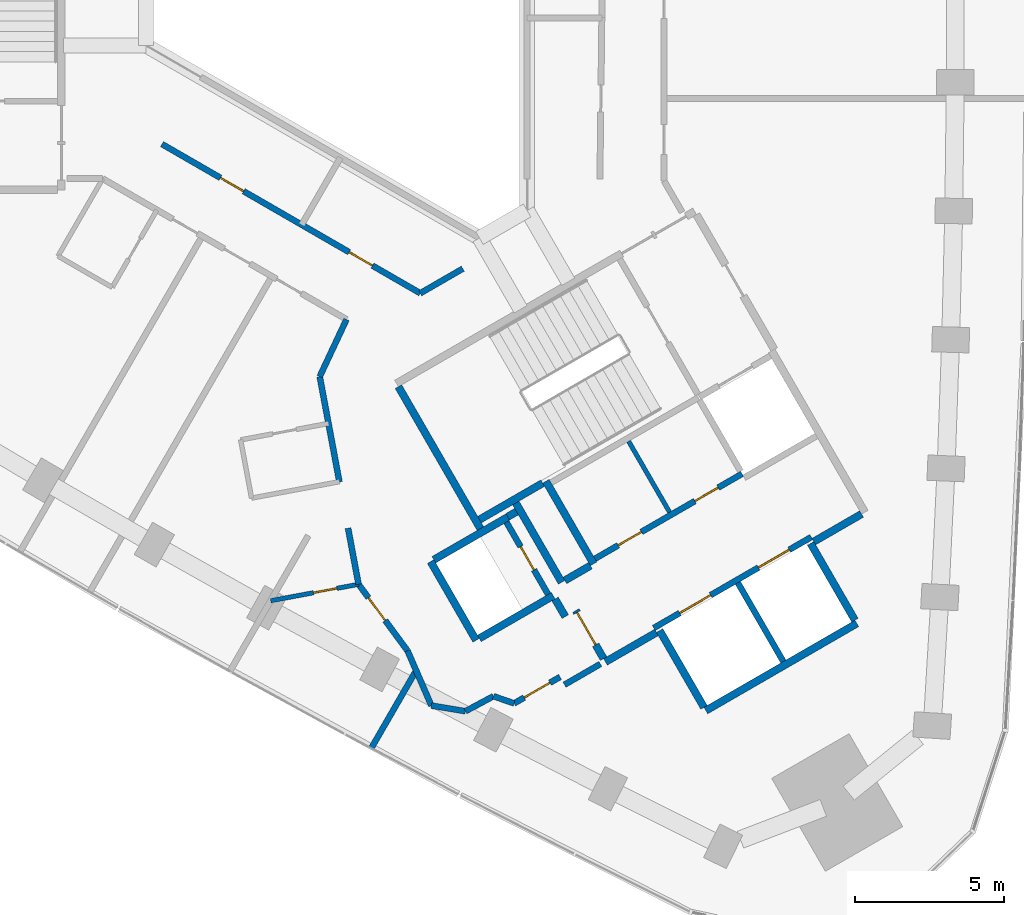
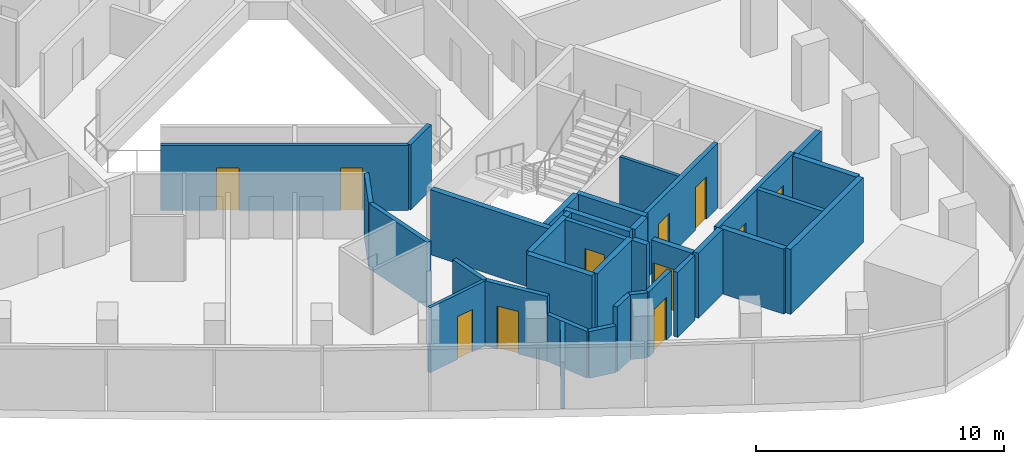
# One storey, part 8 of 12: 35 walls, 11 doors, 11 openings.
"""IFC4 building model written with IfcOpenShell, lengths in metres."""

from ifc_helpers import new_model, si_unit, direction, frame, frame_2d, origin, place, context, subcontext, project, spatial, rectangle, extrude, material, layer, layer_set, type_object, element, fill, save


model = new_model("IFC4")

# Units and contexts
model_context = context("Model", 3, precision=1e-05, world=origin(), true_north=direction((0.0, 1.0)))
body_context = subcontext(model_context, "Body", "Model", "MODEL_VIEW")
ifc_project = project(units=[si_unit("LENGTHUNIT", "METRE"), si_unit("AREAUNIT", "SQUARE_METRE"), si_unit("VOLUMEUNIT", "CUBIC_METRE"), si_unit("PLANEANGLEUNIT", "RADIAN"), si_unit("MASSUNIT", "GRAM", prefix="KILO")], contexts=[model_context])

# Site, building, storey
site_placement = place(None, origin())
site = spatial("IfcSite", under=ifc_project, at=site_placement, CompositionType="ELEMENT")
building_placement = place(site_placement, origin())
building = spatial("IfcBuilding", under=site, at=building_placement, Name="Tamra Quay Hotel Tower", CompositionType="ELEMENT")
storey_placement = place(building_placement, frame((0.0, 0.0, 143.199951171875)))
storey = spatial("IfcBuildingStorey", under=building, at=storey_placement, Name="L35", CompositionType="ELEMENT", Elevation=143.199951171875)

# Wall, openings, doors
ifc_material_1 = material(Name="Concrete M70", Category="concrete")
ifc_layer_1 = layer(ifc_material_1, 0.199951171875)
ifc_layer_set_1 = layer_set([ifc_layer_1], Name="Concrete M70 core wall 200")
wall_type_1 = type_object("IfcWallType", Name="Concrete M70 core wall 200", PredefinedType="SHEAR", material=ifc_layer_set_1)
wall_1_placement = place(storey_placement, frame((9.052490234375, -20.479736328125, 0.0), z_axis=(0.0, 0.0, 1.0), x_axis=(0.866030299012, 0.499991521122, 0.0)))
wall_1 = element("IfcWall", 1, at=wall_1_placement, inside=storey, type_object=wall_type_1, Name="CW2", PredefinedType="SHEAR", context=body_context, shape_type="SweptSolid", body=[
    extrude(rectangle(XDim=6.10009765625, YDim=0.199951171875, at=frame_2d((3.050048828125, 0.0))), origin(), (0.0, 0.0, 1.0), 3.199951171875),
])
opening_1_placement = place(wall_1_placement, frame((1.0, 0.0, 0.0)))
opening_1 = element("IfcOpeningElement", 2, at=opening_1_placement, cuts=wall_1, Name="Opening LD", PredefinedType="OPENING", context=body_context, shape_type="SweptSolid", body=[
    extrude(rectangle(XDim=1.199951171875, YDim=2.10009765625, at=frame_2d((0.60009765625, 1.050048828125))), frame((0.0, 0.10986328125, 0.0), z_axis=(0.0, -1.0, 0.0), x_axis=(1.0, 0.0, 0.0)), (0.0, 0.0, 1.0), 0.219970703125),
])
opening_2_placement = place(wall_1_placement, frame((4.05029296875, 0.0, 0.0)))
opening_2 = element("IfcOpeningElement", 3, at=opening_2_placement, cuts=wall_1, Name="Opening LD", PredefinedType="OPENING", context=body_context, shape_type="SweptSolid", body=[
    extrude(rectangle(XDim=1.199951171875, YDim=2.10009765625, at=frame_2d((0.60009765625, 1.050048828125))), frame((0.0, 0.10986328125, 0.0), z_axis=(0.0, -1.0, 0.0), x_axis=(1.0, 0.0, 0.0)), (0.0, 0.0, 1.0), 0.219970703125),
])
ifc_material_2 = material(Name="Landing door LD 1200 double door sliding")
door_type_1 = type_object("IfcDoorType", Name="Landing door LD 1200 double door sliding", OperationType="DOUBLE_DOOR_SLIDING", PredefinedType="DOOR", material=ifc_material_2)
door_1_placement = place(opening_1_placement, origin())
door_1 = element("IfcDoor", 4, at=door_1_placement, inside=storey, type_object=door_type_1, Name="LD", OperationType="DOUBLE_DOOR_SLIDING", OverallHeight=2.10009765625, OverallWidth=1.199951171875, PredefinedType="DOOR", context=body_context, shape_type="SweptSolid", body=[
    extrude(rectangle(XDim=1.199951171875, YDim=2.10009765625, at=frame_2d((0.60009765625, 1.050048828125))), frame((0.0, 0.02490234375, 0.0), z_axis=(0.0, -1.0, 0.0), x_axis=(1.0, 0.0, 0.0)), (0.0, 0.0, 1.0), 0.050048828125),
])
fill(opening_1, door_1)
door_2_placement = place(opening_2_placement, origin())
door_2 = element("IfcDoor", 5, at=door_2_placement, inside=storey, type_object=door_type_1, Name="LD", OperationType="DOUBLE_DOOR_SLIDING", OverallHeight=2.10009765625, OverallWidth=1.199951171875, PredefinedType="DOOR", context=body_context, shape_type="SweptSolid", body=[
    extrude(rectangle(XDim=1.199951171875, YDim=2.10009765625, at=frame_2d((0.60009765625, 1.050048828125))), frame((0.0, 0.02490234375, 0.0), z_axis=(0.0, -1.0, 0.0), x_axis=(1.0, 0.0, 0.0)), (0.0, 0.0, 1.0), 0.050048828125),
])
fill(opening_2, door_2)

wall_2_placement = place(storey_placement, frame((7.0771484375, -18.156005859375, 0.0), z_axis=(0.0, 0.0, 1.0), x_axis=(0.866038630372, 0.499977090179, 0.0)))
wall_2 = element("IfcWall", 6, at=wall_2_placement, inside=storey, type_object=wall_type_1, Name="CW2", PredefinedType="SHEAR", context=body_context, shape_type="SweptSolid", body=[
    extrude(rectangle(XDim=5.698974609375, YDim=0.199951171875, at=frame_2d((2.849609375, 0.0))), origin(), (0.0, 0.0, 1.0), 3.199951171875),
])
opening_3_placement = place(wall_2_placement, frame((0.89892578125, 0.0, 0.0)))
opening_3 = element("IfcOpeningElement", 7, at=opening_3_placement, cuts=wall_2, Name="Opening D2", PredefinedType="OPENING", context=body_context, shape_type="SweptSolid", body=[
    extrude(rectangle(XDim=0.89990234375, YDim=2.10009765625, at=frame_2d((0.449951171875, 1.050048828125))), frame((0.0, 0.10986328125, 0.0), z_axis=(0.0, -1.0, 0.0), x_axis=(1.0, 0.0, 0.0)), (0.0, 0.0, 1.0), 0.219970703125),
])
opening_4_placement = place(wall_2_placement, frame((3.8740234375, 0.0, 0.0)))
opening_4 = element("IfcOpeningElement", 8, at=opening_4_placement, cuts=wall_2, Name="Opening D2", PredefinedType="OPENING", context=body_context, shape_type="SweptSolid", body=[
    extrude(rectangle(XDim=0.89990234375, YDim=2.10009765625, at=frame_2d((0.449951171875, 1.050048828125))), frame((0.0, 0.10986328125, 0.0), z_axis=(0.0, -1.0, 0.0), x_axis=(1.0, 0.0, 0.0)), (0.0, 0.0, 1.0), 0.219970703125),
])
ifc_material_3 = material(Name="Core door D2 900x2100 LH")
door_type_2 = type_object("IfcDoorType", Name="Core door D2 900x2100 LH", OperationType="NOTDEFINED", PredefinedType="DOOR", material=ifc_material_3)
door_3_placement = place(opening_3_placement, origin())
door_3 = element("IfcDoor", 9, at=door_3_placement, inside=storey, type_object=door_type_2, Name="D2", OperationType="SINGLE_SWING_LEFT", OverallHeight=2.10009765625, OverallWidth=0.89990234375, PredefinedType="DOOR", context=body_context, shape_type="SweptSolid", body=[
    extrude(rectangle(XDim=0.89990234375, YDim=2.10009765625, at=frame_2d((0.449951171875, 1.050048828125))), frame((0.0, 0.02490234375, 0.0), z_axis=(0.0, -1.0, 0.0), x_axis=(1.0, 0.0, 0.0)), (0.0, 0.0, 1.0), 0.050048828125),
])
fill(opening_3, door_3)
ifc_material_4 = material(Name="Core door D2 900x2100 RH")
door_type_3 = type_object("IfcDoorType", Name="Core door D2 900x2100 RH", OperationType="NOTDEFINED", PredefinedType="DOOR", material=ifc_material_4)
door_4_placement = place(opening_4_placement, origin())
door_4 = element("IfcDoor", 10, at=door_4_placement, inside=storey, type_object=door_type_3, Name="D2", OperationType="SINGLE_SWING_RIGHT", OverallHeight=2.10009765625, OverallWidth=0.89990234375, PredefinedType="DOOR", context=body_context, shape_type="SweptSolid", body=[
    extrude(rectangle(XDim=0.89990234375, YDim=2.10009765625, at=frame_2d((0.449951171875, 1.050048828125))), frame((0.0, 0.02490234375, 0.0), z_axis=(0.0, -1.0, 0.0), x_axis=(1.0, 0.0, 0.0)), (0.0, 0.0, 1.0), 0.050048828125),
])
fill(opening_4, door_4)

# Wall
wall_3_placement = place(storey_placement, frame((11.87451171875, -18.967041015625, 0.0), z_axis=(0.0, 0.0, 1.0), x_axis=(0.49998131003, -0.866036194175, 0.0)))
element("IfcWall", 11, at=wall_3_placement, inside=storey, type_object=wall_type_1, Name="CW2", PredefinedType="SHEAR", context=body_context, shape_type="SweptSolid", body=[
    extrude(rectangle(XDim=3.0478515625, YDim=0.199951171875, at=frame_2d((1.52392578125, 0.0))), origin(), (0.0, 0.0, 1.0), 3.199951171875),
])

# Wall, opening, door
wall_4_placement = place(storey_placement, frame((5.50341796875, -19.352294921875, 0.0), z_axis=(0.0, 0.0, 1.0), x_axis=(-0.499986818241, 0.866033014143, 0.0)))
wall_4 = element("IfcWall", 12, at=wall_4_placement, inside=storey, type_object=wall_type_1, Name="CW2", PredefinedType="SHEAR", context=body_context, shape_type="SweptSolid", body=[
    extrude(rectangle(XDim=2.7978515625, YDim=0.199951171875, at=frame_2d((1.39892578125, 0.0))), origin(), (0.0, 0.0, 1.0), 3.199951171875),
])
opening_5_placement = place(wall_4_placement, frame((0.948974609375, 0.0, 0.0)))
opening_5 = element("IfcOpeningElement", 13, at=opening_5_placement, cuts=wall_4, Name="Opening D1", PredefinedType="OPENING", context=body_context, shape_type="SweptSolid", body=[
    extrude(rectangle(XDim=0.89990234375, YDim=2.10009765625, at=frame_2d((0.449951171875, 1.050048828125))), frame((0.0, 0.10986328125, 0.0), z_axis=(0.0, -1.0, 0.0), x_axis=(1.0, 0.0, 0.0)), (0.0, 0.0, 1.0), 0.219970703125),
])
ifc_material_5 = material(Name="Core door D1 900x2100 LH")
door_type_4 = type_object("IfcDoorType", Name="Core door D1 900x2100 LH", OperationType="NOTDEFINED", PredefinedType="DOOR", material=ifc_material_5)
door_5_placement = place(opening_5_placement, origin())
door_5 = element("IfcDoor", 14, at=door_5_placement, inside=storey, type_object=door_type_4, Name="D1", OperationType="SINGLE_SWING_LEFT", OverallHeight=2.10009765625, OverallWidth=0.89990234375, PredefinedType="DOOR", context=body_context, shape_type="SweptSolid", body=[
    extrude(rectangle(XDim=0.89990234375, YDim=2.10009765625, at=frame_2d((0.449951171875, 1.050048828125))), frame((0.0, 0.02490234375, 0.0), z_axis=(0.0, -1.0, 0.0), x_axis=(1.0, 0.0, 0.0)), (0.0, 0.0, 1.0), 0.050048828125),
])
fill(opening_5, door_5)

# Walls
ifc_layer_2 = layer(ifc_material_1, 0.25)
ifc_layer_set_2 = layer_set([ifc_layer_2], Name="Concrete M70 core wall 250")
wall_type_2 = type_object("IfcWallType", Name="Concrete M70 core wall 250", PredefinedType="SHEAR", material=ifc_layer_set_2)
wall_5_placement = place(storey_placement, frame((15.86474609375, -20.328369140625, 0.0), z_axis=(0.0, 0.0, 1.0), x_axis=(-0.86602852612, -0.499994591916, 0.0)))
element("IfcWall", 15, at=wall_5_placement, inside=storey, type_object=wall_type_2, Name="CW1", PredefinedType="SHEAR", context=body_context, shape_type="SweptSolid", body=[
    extrude(rectangle(XDim=5.85009765625, YDim=0.25, at=frame_2d((2.925048828125, 0.0))), origin(), (0.0, 0.0, 1.0), 3.199951171875),
])
wall_6_placement = place(storey_placement, frame((3.23486328125, -17.15283203125, 0.0), z_axis=(0.0, 0.0, 1.0), x_axis=(-0.500008851346, 0.866020293397, 0.0)))
element("IfcWall", 16, at=wall_6_placement, inside=storey, type_object=wall_type_2, Name="CW1", PredefinedType="SHEAR", context=body_context, shape_type="SweptSolid", body=[
    extrude(rectangle(XDim=5.509765625, YDim=0.25, at=frame_2d((2.7548828125, 0.0))), origin(), (0.0, 0.0, 1.0), 3.199951171875),
])
wall_7_placement = place(storey_placement, frame((7.030517578125, -18.327392578125, 0.0), z_axis=(0.0, 0.0, 1.0), x_axis=(-0.499971222258, 0.866042017984, 0.0)))
element("IfcWall", 17, at=wall_7_placement, inside=storey, type_object=wall_type_2, Name="CW1", PredefinedType="SHEAR", context=body_context, shape_type="SweptSolid", body=[
    extrude(rectangle(XDim=3.199951171875, YDim=0.25, at=frame_2d((1.60009765625, 0.0))), origin(), (0.0, 0.0, 1.0), 3.199951171875),
])
for number, where, z_axis, x_axis, name in (
    (18, (14.314697265625, -17.643798828125, 0.0), (0.0, 0.0, 1.0), (0.500023226632, -0.866011993467, 0.0), "CW1"),
    (19, (10.73583984375, -23.144775390625, 0.0), (0.0, 0.0, 1.0), (-0.500023226632, 0.866011993467, 0.0), "CW1"),
):
    element("IfcWall", number, at=place(storey_placement, frame(where, z_axis=z_axis, x_axis=x_axis)), inside=storey, type_object=wall_type_2, Name=name, PredefinedType="SHEAR", context=body_context, shape_type="SweptSolid", body=[
        extrude(rectangle(XDim=2.974365234375, YDim=0.25, at=frame_2d((1.4873046875, 0.0))), origin(), (0.0, 0.0, 1.0), 3.199951171875),
    ])
wall_8_placement = place(storey_placement, frame((3.085205078125, -20.893798828125, 0.0), z_axis=(0.0, 0.0, 1.0), x_axis=(-0.499978833458, 0.866037623948, 0.0)))
element("IfcWall", 20, at=wall_8_placement, inside=storey, type_object=wall_type_2, Name="CW1", PredefinedType="SHEAR", context=body_context, shape_type="SweptSolid", body=[
    extrude(rectangle(XDim=3.050048828125, YDim=0.25, at=frame_2d((1.52490234375, 0.0))), origin(), (0.0, 0.0, 1.0), 3.199951171875),
])
wall_9_placement = place(storey_placement, frame((1.6689453125, -18.189697265625, 0.0), z_axis=(0.0, 0.0, 1.0), x_axis=(0.866042235819, 0.499970844928, 0.0)))
element("IfcWall", 21, at=wall_9_placement, inside=storey, type_object=wall_type_2, Name="CW1", PredefinedType="SHEAR", context=body_context, shape_type="SweptSolid", body=[
    extrude(rectangle(XDim=2.864501953125, YDim=0.25, at=frame_2d((1.43212890625, 0.0))), origin(), (0.0, 0.0, 1.0), 3.199951171875),
])
wall_10_placement = place(storey_placement, frame((5.6748046875, -19.39892578125, 0.0), z_axis=(0.0, 0.0, 1.0), x_axis=(-0.866026637627, -0.499997862916, 0.0)))
element("IfcWall", 22, at=wall_10_placement, inside=storey, type_object=wall_type_2, Name="CW1", PredefinedType="SHEAR", context=body_context, shape_type="SweptSolid", body=[
    extrude(rectangle(XDim=2.86474609375, YDim=0.25, at=frame_2d((1.432373046875, 0.0))), origin(), (0.0, 0.0, 1.0), 3.199951171875),
])
wall_11_placement = place(storey_placement, frame((4.414306640625, -16.275634765625, 0.0), z_axis=(0.0, 0.0, 1.0), x_axis=(0.500003324108, -0.866023484601, 0.0)))
element("IfcWall", 23, at=wall_11_placement, inside=storey, type_object=wall_type_2, Name="CW1", PredefinedType="SHEAR", context=body_context, shape_type="SweptSolid", body=[
    extrude(rectangle(XDim=3.0849609375, YDim=0.25, at=frame_2d((1.54248046875, 0.0))), origin(), (0.0, 0.0, 1.0), 3.199951171875),
])
wall_12_placement = place(storey_placement, frame((5.322021484375, -15.618896484375, 0.0), z_axis=(0.0, 0.0, 1.0), x_axis=(-0.866026229868, -0.499998569178, 0.0)))
element("IfcWall", 24, at=wall_12_placement, inside=storey, type_object=wall_type_2, Name="CW1", PredefinedType="SHEAR", context=body_context, shape_type="SweptSolid", body=[
    extrude(rectangle(XDim=2.44921875, YDim=0.25, at=frame_2d((1.224609375, 0.0))), origin(), (0.0, 0.0, 1.0), 3.199951171875),
])
wall_13_placement = place(storey_placement, frame((9.139892578125, -20.63134765625, 0.0), z_axis=(0.0, 0.0, 1.0), x_axis=(-0.866043531843, -0.499968599967, 0.0)))
element("IfcWall", 25, at=wall_13_placement, inside=storey, type_object=wall_type_2, Name="CW1", PredefinedType="SHEAR", context=body_context, shape_type="SweptSolid", body=[
    extrude(rectangle(XDim=1.974853515625, YDim=0.25, at=frame_2d((0.9873046875, 0.0))), origin(), (0.0, 0.0, 1.0), 3.199951171875),
])
wall_14_placement = place(storey_placement, frame((16.024658203125, -16.656494140625, 0.0), z_axis=(0.0, 0.0, 1.0), x_axis=(-0.866016279763, -0.500015802937, 0.0)))
element("IfcWall", 26, at=wall_14_placement, inside=storey, type_object=wall_type_2, Name="CW1", PredefinedType="SHEAR", context=body_context, shape_type="SweptSolid", body=[
    extrude(rectangle(XDim=1.84912109375, YDim=0.25, at=frame_2d((0.924560546875, 0.0))), origin(), (0.0, 0.0, 1.0), 3.199951171875),
])

# Wall, opening, door
wall_15_placement = place(storey_placement, frame((7.3671875, -21.51025390625, 0.0), z_axis=(0.0, 0.0, 1.0), x_axis=(-0.499983108224, 0.866035156036, 0.0)))
wall_15 = element("IfcWall", 27, at=wall_15_placement, inside=storey, type_object=wall_type_2, Name="CW1", PredefinedType="SHEAR", context=body_context, shape_type="SweptSolid", body=[
    extrude(rectangle(XDim=1.86474609375, YDim=0.25, at=frame_2d((0.932373046875, 0.0))), origin(), (0.0, 0.0, 1.0), 3.199951171875),
])
opening_6_placement = place(wall_15_placement, frame((0.53466796875, 0.0, 0.0)))
opening_6 = element("IfcOpeningElement", 28, at=opening_6_placement, cuts=wall_15, Name="Opening FD3", PredefinedType="OPENING", context=body_context, shape_type="SweptSolid", body=[
    extrude(rectangle(XDim=1.25, YDim=2.10009765625, at=frame_2d((0.625, 1.050048828125))), frame((0.0, 0.135009765625, 0.0), z_axis=(0.0, -1.0, 0.0), x_axis=(1.0, 0.0, 0.0)), (0.0, 0.0, 1.0), 0.27001953125),
])
ifc_material_6 = material(Name="Core door FD3 1250x2100 LH")
door_type_5 = type_object("IfcDoorType", Name="Core door FD3 1250x2100 LH", OperationType="NOTDEFINED", PredefinedType="DOOR", material=ifc_material_6)
door_6_placement = place(opening_6_placement, origin())
door_6 = element("IfcDoor", 29, at=door_6_placement, inside=storey, type_object=door_type_5, Name="FD3", OperationType="SINGLE_SWING_LEFT", OverallHeight=2.10009765625, OverallWidth=1.25, PredefinedType="DOOR", context=body_context, shape_type="SweptSolid", body=[
    extrude(rectangle(XDim=1.25, YDim=2.10009765625, at=frame_2d((0.625, 1.050048828125))), frame((0.0, 0.02490234375, 0.0), z_axis=(0.0, -1.0, 0.0), x_axis=(1.0, 0.0, 0.0)), (0.0, 0.0, 1.0), 0.050048828125),
])
fill(opening_6, door_6)

# Walls
wall_16_placement = place(storey_placement, frame((6.0654296875, -18.884765625, 0.0), z_axis=(0.0, 0.0, 1.0), x_axis=(0.866017078145, 0.500014420154, 0.0)))
element("IfcWall", 30, at=wall_16_placement, inside=storey, type_object=wall_type_2, Name="CW1", PredefinedType="SHEAR", context=body_context, shape_type="SweptSolid", body=[
    extrude(rectangle(XDim=0.9892578125, YDim=0.25, at=frame_2d((0.49462890625, 0.0))), origin(), (0.0, 0.0, 1.0), 3.199951171875),
])
wall_17_placement = place(storey_placement, frame((6.07958984375, -20.100341796875, 0.0), z_axis=(0.0, 0.0, 1.0), x_axis=(-0.500051773299, 0.865995510393, 0.0)))
element("IfcWall", 31, at=wall_17_placement, inside=storey, type_object=wall_type_2, Name="CW1", PredefinedType="SHEAR", context=body_context, shape_type="SweptSolid", body=[
    extrude(rectangle(XDim=0.6845703125, YDim=0.25, at=frame_2d((0.34228515625, 0.0))), origin(), (0.0, 0.0, 1.0), 3.199951171875),
])
wall_18_placement = place(storey_placement, frame((4.144775390625, -16.748779296875, 0.0), z_axis=(0.0, 0.0, 1.0), x_axis=(0.866185586049, 0.49972245349, 0.0)))
element("IfcWall", 32, at=wall_18_placement, inside=storey, type_object=wall_type_2, Name="CW1", PredefinedType="SHEAR", context=body_context, shape_type="SweptSolid", body=[
    extrude(rectangle(XDim=0.344482421875, YDim=0.25, at=frame_2d((0.17236328125, 0.0))), origin(), (0.0, 0.0, 1.0), 3.199951171875),
])
ifc_material_7 = material(Name="Blockwork", Category="masonry")
ifc_layer_3 = layer(ifc_material_7, 0.14990234375)
ifc_layer_set_3 = layer_set([ifc_layer_3], Name="Core partition block 150")
wall_type_3 = type_object("IfcWallType", Name="Core partition block 150", PredefinedType="PARTITIONING", material=ifc_layer_set_3)
wall_19_placement = place(storey_placement, frame((8.20654296875, -14.214111328125, 0.0), z_axis=(0.0, 0.0, 1.0), x_axis=(0.50002746344, -0.86600954718, 0.0)))
element("IfcWall", 33, at=wall_19_placement, inside=storey, type_object=wall_type_3, Name="CP1", PredefinedType="PARTITIONING", context=body_context, shape_type="SweptSolid", body=[
    extrude(rectangle(XDim=2.748291015625, YDim=0.14990234375, at=frame_2d((1.3740234375, 0.0))), origin(), (0.0, 0.0, 1.0), 3.199951171875),
])

# Wall, openings, doors
ifc_material_8 = material(Name="Partition corridor wall")
ifc_layer_4 = layer(ifc_material_8, 0.199951171875)
ifc_layer_set_4 = layer_set([ifc_layer_4], Name="Partition corridor wall")
wall_type_4 = type_object("IfcWallType", Name="Partition corridor wall", PredefinedType="PARTITIONING", material=ifc_layer_set_4)
wall_20_placement = place(storey_placement, frame((-7.455078125, -4.239990234375, 0.0), z_axis=(0.0, 0.0, 1.0), x_axis=(0.866015783746, -0.500016662025, 0.0)))
wall_20 = element("IfcWall", 34, at=wall_20_placement, inside=storey, type_object=wall_type_4, Name="W-C", PredefinedType="PARTITIONING", context=body_context, shape_type="SweptSolid", body=[
    extrude(rectangle(XDim=10.008544921875, YDim=0.199951171875, at=frame_2d((5.00439453125, 0.0))), origin(), (0.0, 0.0, 1.0), 3.199951171875),
])
opening_7_placement = place(wall_20_placement, frame((2.261962890625, 0.0, 0.0)))
opening_7 = element("IfcOpeningElement", 35, at=opening_7_placement, cuts=wall_20, Name="Opening L35-D022", PredefinedType="OPENING", context=body_context, shape_type="SweptSolid", body=[
    extrude(rectangle(XDim=0.89990234375, YDim=2.10009765625, at=frame_2d((0.449951171875, 1.050048828125))), frame((0.0, 0.10986328125, 0.0), z_axis=(0.0, -1.0, 0.0), x_axis=(1.0, 0.0, 0.0)), (0.0, 0.0, 1.0), 0.219970703125),
])
opening_8_placement = place(wall_20_placement, frame((7.254150390625, 0.0, 0.0)))
opening_8 = element("IfcOpeningElement", 36, at=opening_8_placement, cuts=wall_20, Name="Opening L35-D023", PredefinedType="OPENING", context=body_context, shape_type="SweptSolid", body=[
    extrude(rectangle(XDim=0.89990234375, YDim=2.10009765625, at=frame_2d((0.449951171875, 1.050048828125))), frame((0.0, 0.10986328125, 0.0), z_axis=(0.0, -1.0, 0.0), x_axis=(1.0, 0.0, 0.0)), (0.0, 0.0, 1.0), 0.219970703125),
])
ifc_material_9 = material(Name="Door service room 900x2100")
door_type_6 = type_object("IfcDoorType", Name="Door service room 900x2100", OperationType="NOTDEFINED", PredefinedType="DOOR", material=ifc_material_9)
door_7_placement = place(opening_7_placement, origin())
door_7 = element("IfcDoor", 37, at=door_7_placement, inside=storey, type_object=door_type_6, Name="L35-D022", OperationType="SINGLE_SWING_LEFT", OverallHeight=2.10009765625, OverallWidth=0.89990234375, PredefinedType="DOOR", context=body_context, shape_type="SweptSolid", body=[
    extrude(rectangle(XDim=0.89990234375, YDim=2.10009765625, at=frame_2d((0.449951171875, 1.050048828125))), frame((0.0, 0.02490234375, 0.0), z_axis=(0.0, -1.0, 0.0), x_axis=(1.0, 0.0, 0.0)), (0.0, 0.0, 1.0), 0.050048828125),
])
fill(opening_7, door_7)
door_8_placement = place(opening_8_placement, origin())
door_8 = element("IfcDoor", 38, at=door_8_placement, inside=storey, type_object=door_type_6, Name="L35-D023", OperationType="SINGLE_SWING_LEFT", OverallHeight=2.10009765625, OverallWidth=0.89990234375, PredefinedType="DOOR", context=body_context, shape_type="SweptSolid", body=[
    extrude(rectangle(XDim=0.89990234375, YDim=2.10009765625, at=frame_2d((0.449951171875, 1.050048828125))), frame((0.0, 0.02490234375, 0.0), z_axis=(0.0, -1.0, 0.0), x_axis=(1.0, 0.0, 0.0)), (0.0, 0.0, 1.0), 0.050048828125),
])
fill(opening_8, door_8)

# Walls
wall_21_placement = place(storey_placement, frame((-2.162109375, -12.0419921875, 0.0), z_axis=(0.0, 0.0, 1.0), x_axis=(0.183572226488, -0.983006224631, 0.0)))
element("IfcWall", 39, at=wall_21_placement, inside=storey, type_object=wall_type_4, Name="W-C", PredefinedType="PARTITIONING", context=body_context, shape_type="SweptSolid", body=[
    extrude(rectangle(XDim=3.6015625, YDim=0.199951171875, at=frame_2d((1.80078125, 0.0))), origin(), (0.0, 0.0, 1.0), 3.199951171875),
])
wall_22_placement = place(storey_placement, frame((-2.162109375, -12.041015625, 0.0), z_axis=(0.0, 0.0, 1.0), x_axis=(0.424280226728, 0.905530943264, 0.0)))
element("IfcWall", 40, at=wall_22_placement, inside=storey, type_object=wall_type_4, Name="W-C", PredefinedType="PARTITIONING", context=body_context, shape_type="SweptSolid", body=[
    extrude(rectangle(XDim=2.116943359375, YDim=0.199951171875, at=frame_2d((1.05859375, 0.0))), origin(), (0.0, 0.0, 1.0), 3.199951171875),
])
wall_23_placement = place(storey_placement, frame((-1.211669921875, -17.13134765625, 0.0), z_axis=(0.0, 0.0, 1.0), x_axis=(0.183680924698, -0.982985919483, 0.0)))
element("IfcWall", 41, at=wall_23_placement, inside=storey, type_object=wall_type_4, Name="W-C", PredefinedType="PARTITIONING", context=body_context, shape_type="SweptSolid", body=[
    extrude(rectangle(XDim=1.916748046875, YDim=0.199951171875, at=frame_2d((0.95849609375, 0.0))), origin(), (0.0, 0.0, 1.0), 3.199951171875),
])

# Wall, opening, door
wall_24_placement = place(storey_placement, frame((-0.85791015625, -19.01611328125, 0.0), z_axis=(0.0, 0.0, 1.0), x_axis=(0.593123867414, -0.805111220829, 0.0)))
wall_24 = element("IfcWall", 42, at=wall_24_placement, inside=storey, type_object=wall_type_4, Name="W-C", PredefinedType="PARTITIONING", context=body_context, shape_type="SweptSolid", body=[
    extrude(rectangle(XDim=2.769775390625, YDim=0.199951171875, at=frame_2d((1.384765625, 0.0))), origin(), (0.0, 0.0, 1.0), 3.199951171875),
])
opening_9_placement = place(wall_24_placement, frame((0.554931640625, 0.0, 0.0)))
opening_9 = element("IfcOpeningElement", 43, at=opening_9_placement, cuts=wall_24, Name="Opening L35-D015", PredefinedType="OPENING", context=body_context, shape_type="SweptSolid", body=[
    extrude(rectangle(XDim=0.949951171875, YDim=2.10009765625, at=frame_2d((0.47509765625, 1.050048828125))), frame((0.0, 0.10986328125, 0.0), z_axis=(0.0, -1.0, 0.0), x_axis=(1.0, 0.0, 0.0)), (0.0, 0.0, 1.0), 0.219970703125),
])
ifc_material_10 = material(Name="Door guest room 950x2100")
door_type_7 = type_object("IfcDoorType", Name="Door guest room 950x2100", OperationType="NOTDEFINED", PredefinedType="DOOR", material=ifc_material_10)
door_9_placement = place(opening_9_placement, frame((0.949951171875, 0.0, 0.0), z_axis=(0.0, 0.0, 1.0), x_axis=(-1.0, 0.0, 0.0)))
door_9 = element("IfcDoor", 44, at=door_9_placement, inside=storey, type_object=door_type_7, Name="L35-D015", OperationType="SINGLE_SWING_LEFT", OverallHeight=2.10009765625, OverallWidth=0.949951171875, PredefinedType="DOOR", context=body_context, shape_type="SweptSolid", body=[
    extrude(rectangle(XDim=0.949951171875, YDim=2.10009765625, at=frame_2d((0.47509765625, 1.050048828125))), frame((0.0, 0.02490234375, 0.0), z_axis=(0.0, -1.0, 0.0), x_axis=(1.0, 0.0, 0.0)), (0.0, 0.0, 1.0), 0.050048828125),
])
fill(opening_9, door_9)

# Walls
wall_25_placement = place(storey_placement, frame((0.784912109375, -21.24609375, 0.0), z_axis=(0.0, 0.0, 1.0), x_axis=(0.398864077761, -0.917010058545, 0.0)))
element("IfcWall", 45, at=wall_25_placement, inside=storey, type_object=wall_type_4, Name="W-C", PredefinedType="PARTITIONING", context=body_context, shape_type="SweptSolid", body=[
    extrude(rectangle(XDim=2.005859375, YDim=0.199951171875, at=frame_2d((1.0029296875, 0.0))), origin(), (0.0, 0.0, 1.0), 2.300048828125),
])
wall_26_placement = place(storey_placement, frame((1.2119140625, -9.2451171875, 0.0), z_axis=(0.0, 0.0, 1.0), x_axis=(0.86593636949, 0.500154180222, 0.0)))
element("IfcWall", 46, at=wall_26_placement, inside=storey, type_object=wall_type_4, Name="W-C", PredefinedType="PARTITIONING", context=body_context, shape_type="SweptSolid", body=[
    extrude(rectangle(XDim=1.64794921875, YDim=0.199951171875, at=frame_2d((0.823974609375, 0.0))), origin(), (0.0, 0.0, 1.0), 3.199951171875),
])
wall_27_placement = place(storey_placement, frame((1.583984375, -23.0859375, 0.0), z_axis=(0.0, 0.0, 1.0), x_axis=(0.986654221629, -0.162829502674, 0.0)))
element("IfcWall", 47, at=wall_27_placement, inside=storey, type_object=wall_type_4, Name="W-C", PredefinedType="PARTITIONING", context=body_context, shape_type="SweptSolid", body=[
    extrude(rectangle(XDim=1.160400390625, YDim=0.199951171875, at=frame_2d((0.580078125, 0.0))), origin(), (0.0, 0.0, 1.0), 2.300048828125),
])
wall_28_placement = place(storey_placement, frame((2.72998046875, -23.27490234375, 0.0), z_axis=(0.0, 0.0, 1.0), x_axis=(0.880927165636, 0.473251866182, 0.0)))
element("IfcWall", 48, at=wall_28_placement, inside=storey, type_object=wall_type_4, Name="W-C", PredefinedType="PARTITIONING", context=body_context, shape_type="SweptSolid", body=[
    extrude(rectangle(XDim=1.064697265625, YDim=0.199951171875, at=frame_2d((0.5322265625, 0.0))), origin(), (0.0, 0.0, 1.0), 3.199951171875),
])
wall_29_placement = place(storey_placement, frame((3.66796875, -22.77099609375, 0.0), z_axis=(0.0, 0.0, 1.0), x_axis=(0.944689393684, -0.327966384652, 0.0)))
element("IfcWall", 49, at=wall_29_placement, inside=storey, type_object=wall_type_4, Name="W-C", PredefinedType="PARTITIONING", context=body_context, shape_type="SweptSolid", body=[
    extrude(rectangle(XDim=0.734619140625, YDim=0.199951171875, at=frame_2d((0.3671875, 0.0))), origin(), (0.0, 0.0, 1.0), 3.199951171875),
])

# Wall, opening, door
wall_30_placement = place(storey_placement, frame((4.362060546875, -23.011962890625, 0.0), z_axis=(0.0, 0.0, 1.0), x_axis=(0.866692617793, 0.49884256661, 0.0)))
wall_30 = element("IfcWall", 50, at=wall_30_placement, inside=storey, type_object=wall_type_4, Name="W-C", PredefinedType="PARTITIONING", context=body_context, shape_type="SweptSolid", body=[
    extrude(rectangle(XDim=1.778076171875, YDim=0.199951171875, at=frame_2d((0.88916015625, 0.0))), origin(), (0.0, 0.0, 1.0), 3.199951171875),
])
opening_10_placement = place(wall_30_placement, frame((0.388916015625, 0.0, 0.0)))
opening_10 = element("IfcOpeningElement", 51, at=opening_10_placement, cuts=wall_30, Name="Opening L35-D017", PredefinedType="OPENING", context=body_context, shape_type="SweptSolid", body=[
    extrude(rectangle(XDim=1.0, YDim=2.10009765625, at=frame_2d((0.5, 1.050048828125))), frame((0.0, 0.10986328125, 0.0), z_axis=(0.0, -1.0, 0.0), x_axis=(1.0, 0.0, 0.0)), (0.0, 0.0, 1.0), 0.219970703125),
])
ifc_material_11 = material(Name="Door guest room 1000x2100")
door_type_8 = type_object("IfcDoorType", Name="Door guest room 1000x2100", OperationType="NOTDEFINED", PredefinedType="DOOR", material=ifc_material_11)
door_10_placement = place(opening_10_placement, frame((1.0, 0.0, 0.0), z_axis=(0.0, 0.0, 1.0), x_axis=(-1.0, 0.0, 0.0)))
door_10 = element("IfcDoor", 52, at=door_10_placement, inside=storey, type_object=door_type_8, Name="L35-D017", OperationType="SINGLE_SWING_LEFT", OverallHeight=2.10009765625, OverallWidth=1.0, PredefinedType="DOOR", context=body_context, shape_type="SweptSolid", body=[
    extrude(rectangle(XDim=1.0, YDim=2.10009765625, at=frame_2d((0.5, 1.050048828125))), frame((0.0, 0.02490234375, 0.0), z_axis=(0.0, -1.0, 0.0), x_axis=(1.0, 0.0, 0.0)), (0.0, 0.0, 1.0), 0.050048828125),
])
fill(opening_10, door_10)

# Wall
wall_31_placement = place(storey_placement, frame((6.053955078125, -22.385009765625, 0.0), z_axis=(0.0, 0.0, 1.0), x_axis=(0.86593101922, 0.500163443238, 0.0)))
element("IfcWall", 53, at=wall_31_placement, inside=storey, type_object=wall_type_4, Name="W-C", PredefinedType="PARTITIONING", context=body_context, shape_type="SweptSolid", body=[
    extrude(rectangle(XDim=1.3896484375, YDim=0.199951171875, at=frame_2d((0.69482421875, 0.0))), origin(), (0.0, 0.0, 1.0), 3.199951171875),
])

# Wall, opening, door
ifc_material_12 = material(Name="Partition en-suite wall")
ifc_layer_5 = layer(ifc_material_12, 0.14990234375)
ifc_layer_set_5 = layer_set([ifc_layer_5], Name="Partition en-suite wall")
wall_type_5 = type_object("IfcWallType", Name="Partition en-suite wall", PredefinedType="PARTITIONING", material=ifc_layer_set_5)
wall_32_placement = place(storey_placement, frame((-3.806884765625, -19.56591796875, 0.0), z_axis=(0.0, 0.0, 1.0), x_axis=(0.982987155193, 0.183674311555, 0.0)))
wall_32 = element("IfcWall", 54, at=wall_32_placement, inside=storey, type_object=wall_type_5, Name="W-E", PredefinedType="PARTITIONING", context=body_context, shape_type="SweptSolid", body=[
    extrude(rectangle(XDim=3.0, YDim=0.14990234375, at=frame_2d((1.5, 0.0))), origin(), (0.0, 0.0, 1.0), 3.199951171875),
])
opening_11_placement = place(wall_32_placement, frame((1.4599609375, 0.0, 0.0)))
opening_11 = element("IfcOpeningElement", 55, at=opening_11_placement, cuts=wall_32, Name="Opening L35-D016", PredefinedType="OPENING", context=body_context, shape_type="SweptSolid", body=[
    extrude(rectangle(XDim=0.800048828125, YDim=2.10009765625, at=frame_2d((0.39990234375, 1.050048828125))), frame((0.0, 0.0849609375, 0.0), z_axis=(0.0, -1.0, 0.0), x_axis=(1.0, 0.0, 0.0)), (0.0, 0.0, 1.0), 0.169921875),
])
ifc_material_13 = material(Name="Door en-suite 800x2100")
door_type_9 = type_object("IfcDoorType", Name="Door en-suite 800x2100", OperationType="NOTDEFINED", PredefinedType="DOOR", material=ifc_material_13)
door_11_placement = place(opening_11_placement, frame((0.800048828125, 0.0, 0.0), z_axis=(0.0, 0.0, 1.0), x_axis=(-1.0, 0.0, 0.0)))
door_11 = element("IfcDoor", 56, at=door_11_placement, inside=storey, type_object=door_type_9, Name="L35-D016", OperationType="SINGLE_SWING_LEFT", OverallHeight=2.10009765625, OverallWidth=0.800048828125, PredefinedType="DOOR", context=body_context, shape_type="SweptSolid", body=[
    extrude(rectangle(XDim=0.800048828125, YDim=2.10009765625, at=frame_2d((0.39990234375, 1.050048828125))), frame((0.0, 0.02490234375, 0.0), z_axis=(0.0, -1.0, 0.0), x_axis=(1.0, 0.0, 0.0)), (0.0, 0.0, 1.0), 0.050048828125),
])
fill(opening_11, door_11)

# Wall
ifc_material_14 = material(Name="Partition party wall")
ifc_layer_6 = layer(ifc_material_14, 0.199951171875)
ifc_layer_set_6 = layer_set([ifc_layer_6], Name="Partition party wall")
wall_type_6 = type_object("IfcWallType", Name="Partition party wall", PredefinedType="PARTITIONING", material=ifc_layer_set_6)
wall_33_placement = place(storey_placement, frame((-0.42529296875, -24.504638671875, 0.0), z_axis=(0.0, 0.0, 1.0), x_axis=(0.499915194772, 0.86607436057, 0.0)))
element("IfcWall", 57, at=wall_33_placement, inside=storey, type_object=wall_type_6, Name="W-P", PredefinedType="PARTITIONING", context=body_context, shape_type="SweptSolid", body=[
    extrude(rectangle(XDim=2.9970703125, YDim=0.199951171875, at=frame_2d((1.49853515625, 0.0))), origin(), (0.0, 0.0, 1.0), 2.300048828125),
])

save(model, "model.ifc")
